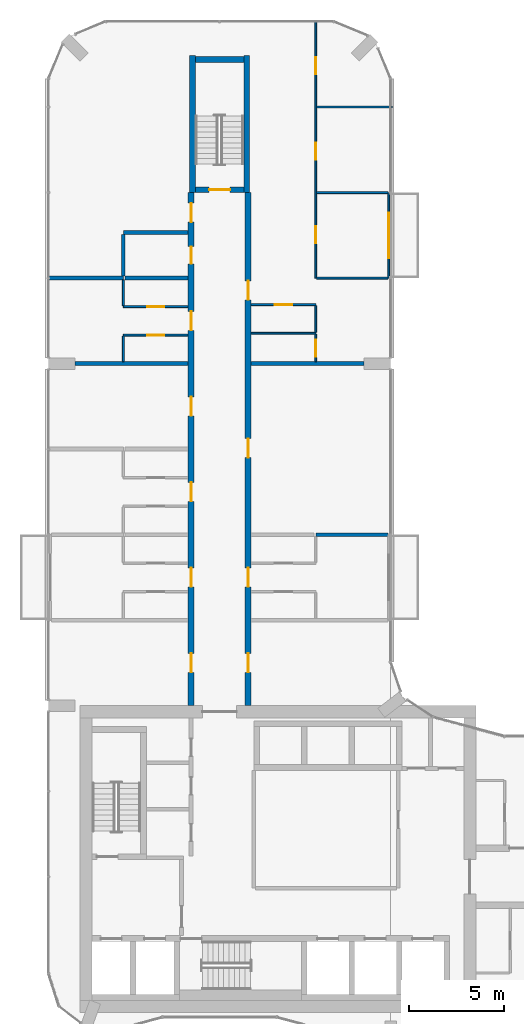
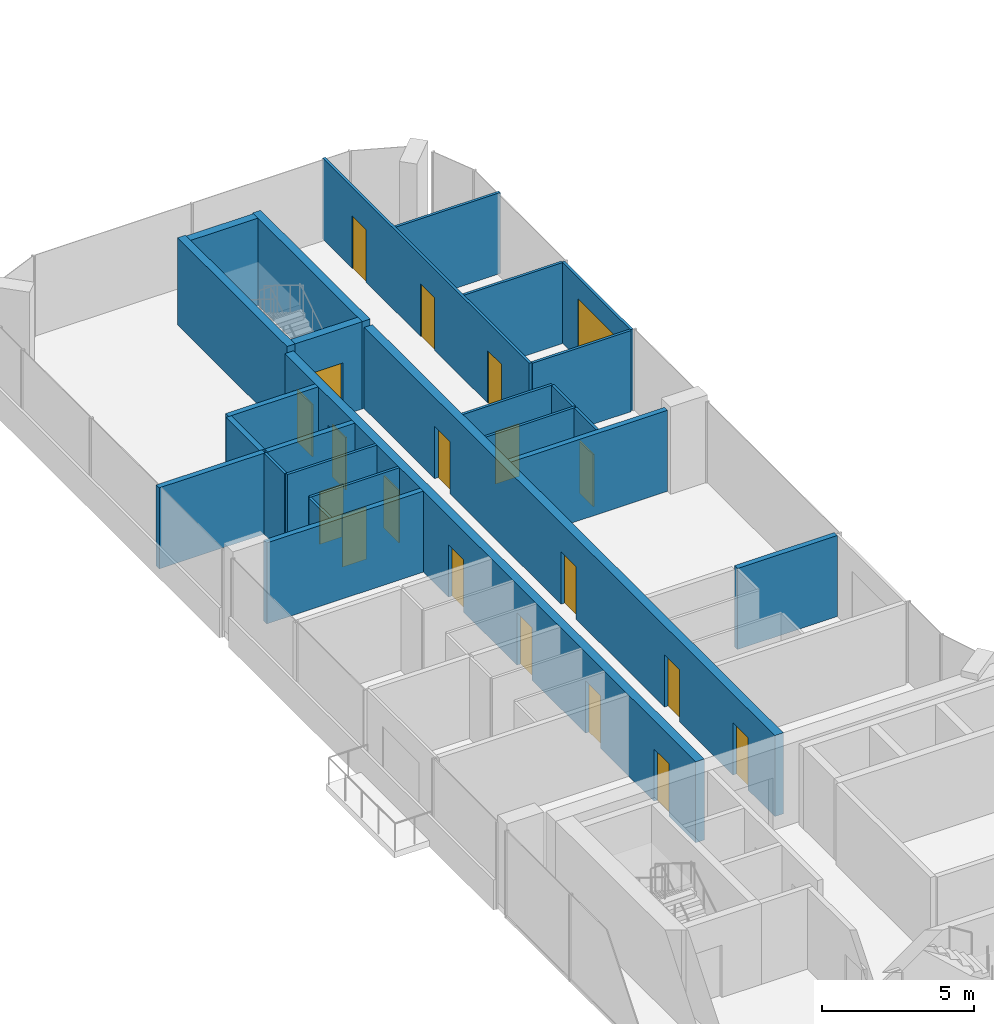
# One storey, part 16 of 22: 26 walls, 20 doors, 20 openings.
"""IFC4 building model written with IfcOpenShell, lengths in metres."""

from ifc_helpers import new_model, si_unit, direction, frame, frame_2d, origin, place, context, subcontext, project, spatial, rectangle, extrude, material, layer, layer_set, type_object, element, fill, save


model = new_model("IFC4")

# Units and contexts
model_context = context("Model", 3, precision=1e-05, world=origin(), true_north=direction((0.0, 1.0)))
body_context = subcontext(model_context, "Body", "Model", "MODEL_VIEW")
ifc_project = project(units=[si_unit("LENGTHUNIT", "METRE"), si_unit("AREAUNIT", "SQUARE_METRE"), si_unit("VOLUMEUNIT", "CUBIC_METRE"), si_unit("PLANEANGLEUNIT", "RADIAN"), si_unit("MASSUNIT", "GRAM", prefix="KILO")], contexts=[model_context])

# Site, building, storey
site_placement = place(None, origin())
site = spatial("IfcSite", under=ifc_project, at=site_placement, CompositionType="ELEMENT")
building_placement = place(site_placement, origin())
building = spatial("IfcBuilding", under=site, at=building_placement, Name="Plateau Cross Towers", CompositionType="ELEMENT")
storey_placement = place(building_placement, frame((0.0, 0.0, 102.800048828125)))
storey = spatial("IfcBuildingStorey", under=building, at=storey_placement, Name="L26", CompositionType="ELEMENT", Elevation=102.800048828125)

# Wall, opening, door
ifc_material_1 = material(Name="Aluminium framed glazing", Category="aluminium")
ifc_layer_1 = layer(ifc_material_1, 0.10009765625)
ifc_layer_set_1 = layer_set([ifc_layer_1], Name="Aluminium framed glazing")
wall_type_1 = type_object("IfcWallType", Name="Balcony screen wall 100", PredefinedType="STANDARD", material=ifc_layer_set_1)
wall_1_placement = place(storey_placement, frame((17.89990234375, 45.0, 0.0), z_axis=(0.0, 0.0, 1.0), x_axis=(0.0, -1.0, 0.0)))
wall_1 = element("IfcWall", 1, at=wall_1_placement, inside=storey, type_object=wall_type_1, Name="Balcony screen wall A-BAL-L26-03", PredefinedType="STANDARD", context=body_context, shape_type="SweptSolid", body=[
    extrude(rectangle(XDim=4.5, YDim=0.10009765625, at=frame_2d((2.25, 0.0))), origin(), (0.0, 0.0, 1.0), 3.25),
])
opening_1_placement = place(wall_1_placement, frame((1.050048828125, 0.0, 0.0)))
opening_1 = element("IfcOpeningElement", 2, at=opening_1_placement, cuts=wall_1, Name="Opening D-B24", PredefinedType="OPENING", context=body_context, shape_type="SweptSolid", body=[
    extrude(rectangle(XDim=2.39990234375, YDim=2.39990234375, at=frame_2d((1.199951171875, 1.199951171875))), frame((0.0, 0.06005859375, 0.0), z_axis=(0.0, -1.0, 0.0), x_axis=(1.0, 0.0, 0.0)), (0.0, 0.0, 1.0), 0.1201171875),
])
ifc_material_2 = material(Name="Aluminium frame, double glazing", Category="aluminium")
door_type_1 = type_object("IfcDoorType", Name="Balcony sliding door 2400", OperationType="NOTDEFINED", PredefinedType="DOOR", material=ifc_material_2)
door_1_placement = place(opening_1_placement, origin())
door_1 = element("IfcDoor", 3, at=door_1_placement, inside=storey, type_object=door_type_1, Name="Balcony door A-BAL-L26-03", OperationType="SINGLE_SWING_LEFT", OverallHeight=2.39990234375, OverallWidth=2.39990234375, PredefinedType="DOOR", context=body_context, shape_type="SweptSolid", body=[
    extrude(rectangle(XDim=2.39990234375, YDim=2.39990234375, at=frame_2d((1.199951171875, 1.199951171875))), frame((0.0, 0.02490234375, 0.0), z_axis=(0.0, -1.0, 0.0), x_axis=(1.0, 0.0, 0.0)), (0.0, 0.0, 1.0), 0.050048828125),
])
fill(opening_1, door_1)

# Wall, openings, doors
ifc_material_3 = material(Name="Concrete C60/75", Category="concrete")
ifc_layer_2 = layer(ifc_material_3, 0.324951171875)
ifc_layer_set_2 = layer_set([ifc_layer_2], Name="Concrete C60/75")
wall_type_2 = type_object("IfcWallType", Name="Corridor wall 325", PredefinedType="SHEAR", material=ifc_layer_set_2)
wall_2_placement = place(storey_placement, frame((7.5, 18.0, 0.0), z_axis=(0.0, 0.0, 1.0), x_axis=(0.0, 1.0, 0.0)))
wall_2 = element("IfcWall", 4, at=wall_2_placement, inside=storey, type_object=wall_type_2, Name="A-cw-W1@L26", PredefinedType="SHEAR", context=body_context, shape_type="SweptSolid", body=[
    extrude(rectangle(XDim=27.0, YDim=0.324951171875, at=frame_2d((13.5, 0.0))), origin(), (0.0, 0.0, 1.0), 3.25),
])
opening_2_placement = place(wall_2_placement, frame((1.75, 0.0, 0.0)))
opening_2 = element("IfcOpeningElement", 5, at=opening_2_placement, cuts=wall_2, Name="Opening 26-10", PredefinedType="OPENING", context=body_context, shape_type="SweptSolid", body=[
    extrude(rectangle(XDim=1.0, YDim=2.10009765625, at=frame_2d((0.5, 1.050048828125))), frame((0.0, 0.17236328125, 0.0), z_axis=(0.0, -1.0, 0.0), x_axis=(1.0, 0.0, 0.0)), (0.0, 0.0, 1.0), 0.344970703125),
])
opening_3_placement = place(wall_2_placement, frame((6.25, 0.0, 0.0)))
opening_3 = element("IfcOpeningElement", 6, at=opening_3_placement, cuts=wall_2, Name="Opening 26-11", PredefinedType="OPENING", context=body_context, shape_type="SweptSolid", body=[
    extrude(rectangle(XDim=1.0, YDim=2.10009765625, at=frame_2d((0.5, 1.050048828125))), frame((0.0, 0.17236328125, 0.0), z_axis=(0.0, -1.0, 0.0), x_axis=(1.0, 0.0, 0.0)), (0.0, 0.0, 1.0), 0.344970703125),
])
opening_4_placement = place(wall_2_placement, frame((10.75, 0.0, 0.0)))
opening_4 = element("IfcOpeningElement", 7, at=opening_4_placement, cuts=wall_2, Name="Opening 26-12", PredefinedType="OPENING", context=body_context, shape_type="SweptSolid", body=[
    extrude(rectangle(XDim=1.0, YDim=2.10009765625, at=frame_2d((0.5, 1.050048828125))), frame((0.0, 0.17236328125, 0.0), z_axis=(0.0, -1.0, 0.0), x_axis=(1.0, 0.0, 0.0)), (0.0, 0.0, 1.0), 0.344970703125),
])
opening_5_placement = place(wall_2_placement, frame((15.25, 0.0, 0.0)))
opening_5 = element("IfcOpeningElement", 8, at=opening_5_placement, cuts=wall_2, Name="Opening 26-13", PredefinedType="OPENING", context=body_context, shape_type="SweptSolid", body=[
    extrude(rectangle(XDim=1.0, YDim=2.10009765625, at=frame_2d((0.5, 1.050048828125))), frame((0.0, 0.17236328125, 0.0), z_axis=(0.0, -1.0, 0.0), x_axis=(1.0, 0.0, 0.0)), (0.0, 0.0, 1.0), 0.344970703125),
])
opening_6_placement = place(wall_2_placement, frame((19.75, 0.0, 0.0)))
opening_6 = element("IfcOpeningElement", 9, at=opening_6_placement, cuts=wall_2, Name="Opening 26-14", PredefinedType="OPENING", context=body_context, shape_type="SweptSolid", body=[
    extrude(rectangle(XDim=1.0, YDim=2.10009765625, at=frame_2d((0.5, 1.050048828125))), frame((0.0, 0.17236328125, 0.0), z_axis=(0.0, -1.0, 0.0), x_axis=(1.0, 0.0, 0.0)), (0.0, 0.0, 1.0), 0.344970703125),
])
opening_7_placement = place(wall_2_placement, frame((23.25, 0.0, 0.0)))
opening_7 = element("IfcOpeningElement", 10, at=opening_7_placement, cuts=wall_2, Name="Opening 26-15", PredefinedType="OPENING", context=body_context, shape_type="SweptSolid", body=[
    extrude(rectangle(XDim=0.89990234375, YDim=2.10009765625, at=frame_2d((0.449951171875, 1.050048828125))), frame((0.0, 0.17236328125, 0.0), z_axis=(0.0, -1.0, 0.0), x_axis=(1.0, 0.0, 0.0)), (0.0, 0.0, 1.0), 0.344970703125),
])
opening_8_placement = place(wall_2_placement, frame((25.449951171875, 0.0, 0.0)))
opening_8 = element("IfcOpeningElement", 11, at=opening_8_placement, cuts=wall_2, Name="Opening 26-16", PredefinedType="OPENING", context=body_context, shape_type="SweptSolid", body=[
    extrude(rectangle(XDim=1.0, YDim=2.10009765625, at=frame_2d((0.5, 1.050048828125))), frame((0.0, 0.17236328125, 0.0), z_axis=(0.0, -1.0, 0.0), x_axis=(1.0, 0.0, 0.0)), (0.0, 0.0, 1.0), 0.344970703125),
])
ifc_material_4 = material(Name="Timber, fire-resisting leaf", Category="wood")
door_type_2 = type_object("IfcDoorType", Name="Flat entrance door 1000", OperationType="NOTDEFINED", PredefinedType="DOOR", material=ifc_material_4)
door_2_placement = place(opening_2_placement, origin())
door_2 = element("IfcDoor", 12, at=door_2_placement, inside=storey, type_object=door_type_2, Name="Door 26-10", OperationType="SINGLE_SWING_LEFT", OverallHeight=2.10009765625, OverallWidth=1.0, PredefinedType="DOOR", context=body_context, shape_type="SweptSolid", body=[
    extrude(rectangle(XDim=1.0, YDim=2.10009765625, at=frame_2d((0.5, 1.050048828125))), frame((0.0, 0.02490234375, 0.0), z_axis=(0.0, -1.0, 0.0), x_axis=(1.0, 0.0, 0.0)), (0.0, 0.0, 1.0), 0.050048828125),
])
fill(opening_2, door_2)
door_3_placement = place(opening_3_placement, origin())
door_3 = element("IfcDoor", 13, at=door_3_placement, inside=storey, type_object=door_type_2, Name="Door 26-11", OperationType="SINGLE_SWING_LEFT", OverallHeight=2.10009765625, OverallWidth=1.0, PredefinedType="DOOR", context=body_context, shape_type="SweptSolid", body=[
    extrude(rectangle(XDim=1.0, YDim=2.10009765625, at=frame_2d((0.5, 1.050048828125))), frame((0.0, 0.02490234375, 0.0), z_axis=(0.0, -1.0, 0.0), x_axis=(1.0, 0.0, 0.0)), (0.0, 0.0, 1.0), 0.050048828125),
])
fill(opening_3, door_3)
door_4_placement = place(opening_4_placement, origin())
door_4 = element("IfcDoor", 14, at=door_4_placement, inside=storey, type_object=door_type_2, Name="Door 26-12", OperationType="SINGLE_SWING_LEFT", OverallHeight=2.10009765625, OverallWidth=1.0, PredefinedType="DOOR", context=body_context, shape_type="SweptSolid", body=[
    extrude(rectangle(XDim=1.0, YDim=2.10009765625, at=frame_2d((0.5, 1.050048828125))), frame((0.0, 0.02490234375, 0.0), z_axis=(0.0, -1.0, 0.0), x_axis=(1.0, 0.0, 0.0)), (0.0, 0.0, 1.0), 0.050048828125),
])
fill(opening_4, door_4)
door_5_placement = place(opening_5_placement, origin())
door_5 = element("IfcDoor", 15, at=door_5_placement, inside=storey, type_object=door_type_2, Name="Door 26-13", OperationType="SINGLE_SWING_RIGHT", OverallHeight=2.10009765625, OverallWidth=1.0, PredefinedType="DOOR", context=body_context, shape_type="SweptSolid", body=[
    extrude(rectangle(XDim=1.0, YDim=2.10009765625, at=frame_2d((0.5, 1.050048828125))), frame((0.0, 0.02490234375, 0.0), z_axis=(0.0, -1.0, 0.0), x_axis=(1.0, 0.0, 0.0)), (0.0, 0.0, 1.0), 0.050048828125),
])
fill(opening_5, door_5)
door_6_placement = place(opening_6_placement, origin())
door_6 = element("IfcDoor", 16, at=door_6_placement, inside=storey, type_object=door_type_2, Name="Door 26-14", OperationType="SINGLE_SWING_RIGHT", OverallHeight=2.10009765625, OverallWidth=1.0, PredefinedType="DOOR", context=body_context, shape_type="SweptSolid", body=[
    extrude(rectangle(XDim=1.0, YDim=2.10009765625, at=frame_2d((0.5, 1.050048828125))), frame((0.0, 0.02490234375, 0.0), z_axis=(0.0, -1.0, 0.0), x_axis=(1.0, 0.0, 0.0)), (0.0, 0.0, 1.0), 0.050048828125),
])
fill(opening_6, door_6)
door_7_placement = place(opening_8_placement, origin())
door_7 = element("IfcDoor", 17, at=door_7_placement, inside=storey, type_object=door_type_2, Name="Door 26-16", OperationType="SINGLE_SWING_RIGHT", OverallHeight=2.10009765625, OverallWidth=1.0, PredefinedType="DOOR", context=body_context, shape_type="SweptSolid", body=[
    extrude(rectangle(XDim=1.0, YDim=2.10009765625, at=frame_2d((0.5, 1.050048828125))), frame((0.0, 0.02490234375, 0.0), z_axis=(0.0, -1.0, 0.0), x_axis=(1.0, 0.0, 0.0)), (0.0, 0.0, 1.0), 0.050048828125),
])
fill(opening_8, door_7)
door_type_3 = type_object("IfcDoorType", Name="Flat floor service door 900", OperationType="NOTDEFINED", PredefinedType="DOOR", material=ifc_material_4)
door_8_placement = place(opening_7_placement, origin())
door_8 = element("IfcDoor", 18, at=door_8_placement, inside=storey, type_object=door_type_3, Name="Door 26-15", OperationType="SINGLE_SWING_RIGHT", OverallHeight=2.10009765625, OverallWidth=0.89990234375, PredefinedType="DOOR", context=body_context, shape_type="SweptSolid", body=[
    extrude(rectangle(XDim=0.89990234375, YDim=2.10009765625, at=frame_2d((0.449951171875, 1.050048828125))), frame((0.0, 0.02490234375, 0.0), z_axis=(0.0, -1.0, 0.0), x_axis=(1.0, 0.0, 0.0)), (0.0, 0.0, 1.0), 0.050048828125),
])
fill(opening_7, door_8)

wall_3_placement = place(storey_placement, frame((10.5, 18.0, 0.0), z_axis=(0.0, 0.0, 1.0), x_axis=(0.0, 1.0, 0.0)))
wall_3 = element("IfcWall", 19, at=wall_3_placement, inside=storey, type_object=wall_type_2, Name="A-cw-W2@L26", PredefinedType="SHEAR", context=body_context, shape_type="SweptSolid", body=[
    extrude(rectangle(XDim=27.0, YDim=0.324951171875, at=frame_2d((13.5, 0.0))), origin(), (0.0, 0.0, 1.0), 3.25),
])
opening_9_placement = place(wall_3_placement, frame((1.75, 0.0, 0.0)))
opening_9 = element("IfcOpeningElement", 20, at=opening_9_placement, cuts=wall_3, Name="Opening 26-17", PredefinedType="OPENING", context=body_context, shape_type="SweptSolid", body=[
    extrude(rectangle(XDim=1.0, YDim=2.10009765625, at=frame_2d((0.5, 1.050048828125))), frame((0.0, 0.17236328125, 0.0), z_axis=(0.0, -1.0, 0.0), x_axis=(1.0, 0.0, 0.0)), (0.0, 0.0, 1.0), 0.344970703125),
])
opening_10_placement = place(wall_3_placement, frame((6.25, 0.0, 0.0)))
opening_10 = element("IfcOpeningElement", 21, at=opening_10_placement, cuts=wall_3, Name="Opening 26-18", PredefinedType="OPENING", context=body_context, shape_type="SweptSolid", body=[
    extrude(rectangle(XDim=1.0, YDim=2.10009765625, at=frame_2d((0.5, 1.050048828125))), frame((0.0, 0.17236328125, 0.0), z_axis=(0.0, -1.0, 0.0), x_axis=(1.0, 0.0, 0.0)), (0.0, 0.0, 1.0), 0.344970703125),
])
opening_11_placement = place(wall_3_placement, frame((13.050048828125, 0.0, 0.0)))
opening_11 = element("IfcOpeningElement", 22, at=opening_11_placement, cuts=wall_3, Name="Opening 26-19", PredefinedType="OPENING", context=body_context, shape_type="SweptSolid", body=[
    extrude(rectangle(XDim=1.0, YDim=2.10009765625, at=frame_2d((0.5, 1.050048828125))), frame((0.0, 0.17236328125, 0.0), z_axis=(0.0, -1.0, 0.0), x_axis=(1.0, 0.0, 0.0)), (0.0, 0.0, 1.0), 0.344970703125),
])
opening_12_placement = place(wall_3_placement, frame((21.35009765625, 0.0, 0.0)))
opening_12 = element("IfcOpeningElement", 23, at=opening_12_placement, cuts=wall_3, Name="Opening 26-20", PredefinedType="OPENING", context=body_context, shape_type="SweptSolid", body=[
    extrude(rectangle(XDim=1.0, YDim=2.10009765625, at=frame_2d((0.5, 1.050048828125))), frame((0.0, 0.17236328125, 0.0), z_axis=(0.0, -1.0, 0.0), x_axis=(1.0, 0.0, 0.0)), (0.0, 0.0, 1.0), 0.344970703125),
])
door_9_placement = place(opening_9_placement, origin())
door_9 = element("IfcDoor", 24, at=door_9_placement, inside=storey, type_object=door_type_2, Name="Door 26-17", OperationType="SINGLE_SWING_LEFT", OverallHeight=2.10009765625, OverallWidth=1.0, PredefinedType="DOOR", context=body_context, shape_type="SweptSolid", body=[
    extrude(rectangle(XDim=1.0, YDim=2.10009765625, at=frame_2d((0.5, 1.050048828125))), frame((0.0, 0.02490234375, 0.0), z_axis=(0.0, -1.0, 0.0), x_axis=(1.0, 0.0, 0.0)), (0.0, 0.0, 1.0), 0.050048828125),
])
fill(opening_9, door_9)
door_10_placement = place(opening_10_placement, origin())
door_10 = element("IfcDoor", 25, at=door_10_placement, inside=storey, type_object=door_type_2, Name="Door 26-18", OperationType="SINGLE_SWING_LEFT", OverallHeight=2.10009765625, OverallWidth=1.0, PredefinedType="DOOR", context=body_context, shape_type="SweptSolid", body=[
    extrude(rectangle(XDim=1.0, YDim=2.10009765625, at=frame_2d((0.5, 1.050048828125))), frame((0.0, 0.02490234375, 0.0), z_axis=(0.0, -1.0, 0.0), x_axis=(1.0, 0.0, 0.0)), (0.0, 0.0, 1.0), 0.050048828125),
])
fill(opening_10, door_10)
door_11_placement = place(opening_11_placement, origin())
door_11 = element("IfcDoor", 26, at=door_11_placement, inside=storey, type_object=door_type_2, Name="Door 26-19", OperationType="SINGLE_SWING_RIGHT", OverallHeight=2.10009765625, OverallWidth=1.0, PredefinedType="DOOR", context=body_context, shape_type="SweptSolid", body=[
    extrude(rectangle(XDim=1.0, YDim=2.10009765625, at=frame_2d((0.5, 1.050048828125))), frame((0.0, 0.02490234375, 0.0), z_axis=(0.0, -1.0, 0.0), x_axis=(1.0, 0.0, 0.0)), (0.0, 0.0, 1.0), 0.050048828125),
])
fill(opening_11, door_11)
door_12_placement = place(opening_12_placement, origin())
door_12 = element("IfcDoor", 27, at=door_12_placement, inside=storey, type_object=door_type_2, Name="Door 26-20", OperationType="SINGLE_SWING_RIGHT", OverallHeight=2.10009765625, OverallWidth=1.0, PredefinedType="DOOR", context=body_context, shape_type="SweptSolid", body=[
    extrude(rectangle(XDim=1.0, YDim=2.10009765625, at=frame_2d((0.5, 1.050048828125))), frame((0.0, 0.02490234375, 0.0), z_axis=(0.0, -1.0, 0.0), x_axis=(1.0, 0.0, 0.0)), (0.0, 0.0, 1.0), 0.050048828125),
])
fill(opening_12, door_12)

# Wall, opening, door
ifc_material_5 = material(Name="Gypsum board on steel studs", Category="steel")
ifc_layer_3 = layer(ifc_material_5, 0.10009765625)
ifc_layer_set_3 = layer_set([ifc_layer_3], Name="Gypsum board on steel studs")
wall_type_3 = type_object("IfcWallType", Name="Flat partition 100", PredefinedType="PARTITIONING", material=ifc_layer_set_3)
wall_4_placement = place(storey_placement, frame((7.33740234375, 37.5, 0.0), z_axis=(0.0, 0.0, 1.0), x_axis=(-1.0, 0.0, 0.0)))
wall_4 = element("IfcWall", 28, at=wall_4_placement, inside=storey, type_object=wall_type_3, Name="Partition wall", PredefinedType="PARTITIONING", context=body_context, shape_type="SweptSolid", body=[
    extrude(rectangle(XDim=3.39990234375, YDim=0.10009765625, at=frame_2d((1.699951171875, 0.0))), origin(), (0.0, 0.0, 1.0), 3.25),
])
opening_13_placement = place(wall_4_placement, frame((1.25, 0.0, 0.0)))
opening_13 = element("IfcOpeningElement", 29, at=opening_13_placement, cuts=wall_4, Name="Opening 26-39", PredefinedType="OPENING", context=body_context, shape_type="SweptSolid", body=[
    extrude(rectangle(XDim=0.89990234375, YDim=2.10009765625, at=frame_2d((0.449951171875, 1.050048828125))), frame((0.0, 0.06005859375, 0.0), z_axis=(0.0, -1.0, 0.0), x_axis=(1.0, 0.0, 0.0)), (0.0, 0.0, 1.0), 0.1201171875),
])
ifc_material_6 = material(Name="Timber leaf", Category="wood")
door_type_4 = type_object("IfcDoorType", Name="Flat room door 900", OperationType="NOTDEFINED", PredefinedType="DOOR", material=ifc_material_6)
door_13_placement = place(opening_13_placement, origin())
door_13 = element("IfcDoor", 30, at=door_13_placement, inside=storey, type_object=door_type_4, Name="Door 26-39", OperationType="SINGLE_SWING_LEFT", OverallHeight=2.10009765625, OverallWidth=0.89990234375, PredefinedType="DOOR", context=body_context, shape_type="SweptSolid", body=[
    extrude(rectangle(XDim=0.89990234375, YDim=2.10009765625, at=frame_2d((0.449951171875, 1.050048828125))), frame((0.0, 0.02490234375, 0.0), z_axis=(0.0, -1.0, 0.0), x_axis=(1.0, 0.0, 0.0)), (0.0, 0.0, 1.0), 0.050048828125),
])
fill(opening_13, door_13)

# Wall
wall_5_placement = place(storey_placement, frame((14.0625, 37.60009765625, 0.0), z_axis=(0.0, 0.0, 1.0), x_axis=(-1.0, 0.0, 0.0)))
element("IfcWall", 31, at=wall_5_placement, inside=storey, type_object=wall_type_3, Name="Partition wall", PredefinedType="PARTITIONING", context=body_context, shape_type="SweptSolid", body=[
    extrude(rectangle(XDim=3.39990234375, YDim=0.10009765625, at=frame_2d((1.699951171875, 0.0))), origin(), (0.0, 0.0, 1.0), 3.25),
])

# Wall, opening, door
wall_6_placement = place(storey_placement, frame((3.9375, 39.0, 0.0), z_axis=(0.0, 0.0, 1.0), x_axis=(1.0, 0.0, 0.0)))
wall_6 = element("IfcWall", 32, at=wall_6_placement, inside=storey, type_object=wall_type_3, Name="Partition wall", PredefinedType="PARTITIONING", context=body_context, shape_type="SweptSolid", body=[
    extrude(rectangle(XDim=3.39990234375, YDim=0.10009765625, at=frame_2d((1.699951171875, 0.0))), origin(), (0.0, 0.0, 1.0), 3.25),
])
opening_14_placement = place(wall_6_placement, frame((1.25, 0.0, 0.0)))
opening_14 = element("IfcOpeningElement", 33, at=opening_14_placement, cuts=wall_6, Name="Opening 26-40", PredefinedType="OPENING", context=body_context, shape_type="SweptSolid", body=[
    extrude(rectangle(XDim=0.89990234375, YDim=2.10009765625, at=frame_2d((0.449951171875, 1.050048828125))), frame((0.0, 0.06005859375, 0.0), z_axis=(0.0, -1.0, 0.0), x_axis=(1.0, 0.0, 0.0)), (0.0, 0.0, 1.0), 0.1201171875),
])
door_14_placement = place(opening_14_placement, origin())
door_14 = element("IfcDoor", 34, at=door_14_placement, inside=storey, type_object=door_type_4, Name="Door 26-40", OperationType="SINGLE_SWING_LEFT", OverallHeight=2.10009765625, OverallWidth=0.89990234375, PredefinedType="DOOR", context=body_context, shape_type="SweptSolid", body=[
    extrude(rectangle(XDim=0.89990234375, YDim=2.10009765625, at=frame_2d((0.449951171875, 1.050048828125))), frame((0.0, 0.02490234375, 0.0), z_axis=(0.0, -1.0, 0.0), x_axis=(1.0, 0.0, 0.0)), (0.0, 0.0, 1.0), 0.050048828125),
])
fill(opening_14, door_14)

wall_7_placement = place(storey_placement, frame((14.0625, 39.10009765625, 0.0), z_axis=(0.0, 0.0, 1.0), x_axis=(-1.0, 0.0, 0.0)))
wall_7 = element("IfcWall", 35, at=wall_7_placement, inside=storey, type_object=wall_type_3, Name="Partition wall", PredefinedType="PARTITIONING", context=body_context, shape_type="SweptSolid", body=[
    extrude(rectangle(XDim=3.39990234375, YDim=0.10009765625, at=frame_2d((1.699951171875, 0.0))), origin(), (0.0, 0.0, 1.0), 3.25),
])
opening_15_placement = place(wall_7_placement, frame((1.25, 0.0, 0.0)))
opening_15 = element("IfcOpeningElement", 36, at=opening_15_placement, cuts=wall_7, Name="Opening 26-44", PredefinedType="OPENING", context=body_context, shape_type="SweptSolid", body=[
    extrude(rectangle(XDim=0.89990234375, YDim=2.10009765625, at=frame_2d((0.449951171875, 1.050048828125))), frame((0.0, 0.06005859375, 0.0), z_axis=(0.0, -1.0, 0.0), x_axis=(1.0, 0.0, 0.0)), (0.0, 0.0, 1.0), 0.1201171875),
])
door_15_placement = place(opening_15_placement, origin())
door_15 = element("IfcDoor", 37, at=door_15_placement, inside=storey, type_object=door_type_4, Name="Door 26-44", OperationType="SINGLE_SWING_LEFT", OverallHeight=2.10009765625, OverallWidth=0.89990234375, PredefinedType="DOOR", context=body_context, shape_type="SweptSolid", body=[
    extrude(rectangle(XDim=0.89990234375, YDim=2.10009765625, at=frame_2d((0.449951171875, 1.050048828125))), frame((0.0, 0.02490234375, 0.0), z_axis=(0.0, -1.0, 0.0), x_axis=(1.0, 0.0, 0.0)), (0.0, 0.0, 1.0), 0.050048828125),
])
fill(opening_15, door_15)

# Walls
for number, where, z_axis, x_axis, name in (
    (38, (14.112548828125, 40.5, 0.0), (0.0, 0.0, 1.0), (1.0, 0.0, 0.0), "Partition wall"),
    (39, (17.85009765625, 45.0, 0.0), (0.0, 0.0, 1.0), (-1.0, 0.0, 0.0), "Partition wall"),
):
    element("IfcWall", number, at=place(storey_placement, frame(where, z_axis=z_axis, x_axis=x_axis)), inside=storey, type_object=wall_type_3, Name=name, PredefinedType="PARTITIONING", context=body_context, shape_type="SweptSolid", body=[
        extrude(rectangle(XDim=3.737548828125, YDim=0.10009765625, at=frame_2d((1.86865234375, 0.0))), origin(), (0.0, 0.0, 1.0), 3.25),
    ])
wall_8_placement = place(storey_placement, frame((18.080078125, 49.5, 0.0), z_axis=(0.0, 0.0, 1.0), x_axis=(-1.0, 0.0, 0.0)))
element("IfcWall", 40, at=wall_8_placement, inside=storey, type_object=wall_type_3, Name="Partition wall", PredefinedType="PARTITIONING", context=body_context, shape_type="SweptSolid", body=[
    extrude(rectangle(XDim=3.967529296875, YDim=0.10009765625, at=frame_2d((1.98388671875, 0.0))), origin(), (0.0, 0.0, 1.0), 3.25),
])
for number, where, z_axis, x_axis, name in (
    (41, (3.9375, 37.449951171875, 0.0), (0.0, 0.0, 1.0), (0.0, -1.0, 0.0), "Partition wall"),
    (42, (3.9375, 40.39990234375, 0.0), (0.0, 0.0, 1.0), (0.0, -1.0, 0.0), "Partition wall"),
):
    element("IfcWall", number, at=place(storey_placement, frame(where, z_axis=z_axis, x_axis=x_axis)), inside=storey, type_object=wall_type_3, Name=name, PredefinedType="PARTITIONING", context=body_context, shape_type="SweptSolid", body=[
        extrude(rectangle(XDim=1.349853515625, YDim=0.10009765625, at=frame_2d((0.6748046875, 0.0))), origin(), (0.0, 0.0, 1.0), 3.25),
    ])

# Wall, openings, doors
wall_9_placement = place(storey_placement, frame((14.0625, 54.080078125, 0.0), z_axis=(0.0, 0.0, 1.0), x_axis=(0.0, -1.0, 0.0)))
wall_9 = element("IfcWall", 43, at=wall_9_placement, inside=storey, type_object=wall_type_3, Name="Partition wall", PredefinedType="PARTITIONING", context=body_context, shape_type="SweptSolid", body=[
    extrude(rectangle(XDim=13.580078125, YDim=0.10009765625, at=frame_2d((6.7900390625, 0.0))), origin(), (0.0, 0.0, 1.0), 3.25),
])
opening_16_placement = place(wall_9_placement, frame((10.85009765625, 0.0, 0.0)))
opening_16 = element("IfcOpeningElement", 44, at=opening_16_placement, cuts=wall_9, Name="Opening 26-45", PredefinedType="OPENING", context=body_context, shape_type="SweptSolid", body=[
    extrude(rectangle(XDim=0.89990234375, YDim=2.10009765625, at=frame_2d((0.449951171875, 1.050048828125))), frame((0.0, 0.06005859375, 0.0), z_axis=(0.0, -1.0, 0.0), x_axis=(1.0, 0.0, 0.0)), (0.0, 0.0, 1.0), 0.1201171875),
])
opening_17_placement = place(wall_9_placement, frame((6.449951171875, 0.0, 0.0)))
opening_17 = element("IfcOpeningElement", 45, at=opening_17_placement, cuts=wall_9, Name="Opening 26-46", PredefinedType="OPENING", context=body_context, shape_type="SweptSolid", body=[
    extrude(rectangle(XDim=0.89990234375, YDim=2.10009765625, at=frame_2d((0.449951171875, 1.050048828125))), frame((0.0, 0.06005859375, 0.0), z_axis=(0.0, -1.0, 0.0), x_axis=(1.0, 0.0, 0.0)), (0.0, 0.0, 1.0), 0.1201171875),
])
opening_18_placement = place(wall_9_placement, frame((1.949951171875, 0.0, 0.0)))
opening_18 = element("IfcOpeningElement", 46, at=opening_18_placement, cuts=wall_9, Name="Opening 26-47", PredefinedType="OPENING", context=body_context, shape_type="SweptSolid", body=[
    extrude(rectangle(XDim=0.89990234375, YDim=2.10009765625, at=frame_2d((0.449951171875, 1.050048828125))), frame((0.0, 0.06005859375, 0.0), z_axis=(0.0, -1.0, 0.0), x_axis=(1.0, 0.0, 0.0)), (0.0, 0.0, 1.0), 0.1201171875),
])
door_16_placement = place(opening_16_placement, origin())
door_16 = element("IfcDoor", 47, at=door_16_placement, inside=storey, type_object=door_type_4, Name="Door 26-45", OperationType="SINGLE_SWING_RIGHT", OverallHeight=2.10009765625, OverallWidth=0.89990234375, PredefinedType="DOOR", context=body_context, shape_type="SweptSolid", body=[
    extrude(rectangle(XDim=0.89990234375, YDim=2.10009765625, at=frame_2d((0.449951171875, 1.050048828125))), frame((0.0, 0.02490234375, 0.0), z_axis=(0.0, -1.0, 0.0), x_axis=(1.0, 0.0, 0.0)), (0.0, 0.0, 1.0), 0.050048828125),
])
fill(opening_16, door_16)
door_17_placement = place(opening_17_placement, origin())
door_17 = element("IfcDoor", 48, at=door_17_placement, inside=storey, type_object=door_type_4, Name="Door 26-46", OperationType="SINGLE_SWING_RIGHT", OverallHeight=2.10009765625, OverallWidth=0.89990234375, PredefinedType="DOOR", context=body_context, shape_type="SweptSolid", body=[
    extrude(rectangle(XDim=0.89990234375, YDim=2.10009765625, at=frame_2d((0.449951171875, 1.050048828125))), frame((0.0, 0.02490234375, 0.0), z_axis=(0.0, -1.0, 0.0), x_axis=(1.0, 0.0, 0.0)), (0.0, 0.0, 1.0), 0.050048828125),
])
fill(opening_17, door_17)
door_18_placement = place(opening_18_placement, origin())
door_18 = element("IfcDoor", 49, at=door_18_placement, inside=storey, type_object=door_type_4, Name="Door 26-47", OperationType="SINGLE_SWING_LEFT", OverallHeight=2.10009765625, OverallWidth=0.89990234375, PredefinedType="DOOR", context=body_context, shape_type="SweptSolid", body=[
    extrude(rectangle(XDim=0.89990234375, YDim=2.10009765625, at=frame_2d((0.449951171875, 1.050048828125))), frame((0.0, 0.02490234375, 0.0), z_axis=(0.0, -1.0, 0.0), x_axis=(1.0, 0.0, 0.0)), (0.0, 0.0, 1.0), 0.050048828125),
])
fill(opening_18, door_18)

# Wall, opening, door
wall_10_placement = place(storey_placement, frame((14.0625, 36.10009765625, 0.0), z_axis=(0.0, 0.0, 1.0), x_axis=(0.0, 1.0, 0.0)))
wall_10 = element("IfcWall", 50, at=wall_10_placement, inside=storey, type_object=wall_type_3, Name="Partition wall", PredefinedType="PARTITIONING", context=body_context, shape_type="SweptSolid", body=[
    extrude(rectangle(XDim=1.449951171875, YDim=0.10009765625, at=frame_2d((0.72509765625, 0.0))), origin(), (0.0, 0.0, 1.0), 3.25),
])
opening_19_placement = place(wall_10_placement, frame((0.25, 0.0, 0.0)))
opening_19 = element("IfcOpeningElement", 51, at=opening_19_placement, cuts=wall_10, Name="Opening 26-43", PredefinedType="OPENING", context=body_context, shape_type="SweptSolid", body=[
    extrude(rectangle(XDim=0.89990234375, YDim=2.10009765625, at=frame_2d((0.449951171875, 1.050048828125))), frame((0.0, 0.06005859375, 0.0), z_axis=(0.0, -1.0, 0.0), x_axis=(1.0, 0.0, 0.0)), (0.0, 0.0, 1.0), 0.1201171875),
])
door_19_placement = place(opening_19_placement, origin())
door_19 = element("IfcDoor", 52, at=door_19_placement, inside=storey, type_object=door_type_4, Name="Door 26-43", OperationType="SINGLE_SWING_LEFT", OverallHeight=2.10009765625, OverallWidth=0.89990234375, PredefinedType="DOOR", context=body_context, shape_type="SweptSolid", body=[
    extrude(rectangle(XDim=0.89990234375, YDim=2.10009765625, at=frame_2d((0.449951171875, 1.050048828125))), frame((0.0, 0.02490234375, 0.0), z_axis=(0.0, -1.0, 0.0), x_axis=(1.0, 0.0, 0.0)), (0.0, 0.0, 1.0), 0.050048828125),
])
fill(opening_19, door_19)

# Walls
wall_11_placement = place(storey_placement, frame((14.0625, 37.64990234375, 0.0), z_axis=(0.0, 0.0, 1.0), x_axis=(0.0, 1.0, 0.0)))
element("IfcWall", 53, at=wall_11_placement, inside=storey, type_object=wall_type_3, Name="Partition wall", PredefinedType="PARTITIONING", context=body_context, shape_type="SweptSolid", body=[
    extrude(rectangle(XDim=1.400146484375, YDim=0.10009765625, at=frame_2d((0.7001953125, 0.0))), origin(), (0.0, 0.0, 1.0), 3.25),
])
ifc_material_7 = material(Name="Gypsum board on steel studs, two layers each side", Category="steel")
ifc_layer_4 = layer(ifc_material_7, 0.199951171875)
ifc_layer_set_4 = layer_set([ifc_layer_4], Name="Gypsum board on steel studs, two layers each side")
wall_type_4 = type_object("IfcWallType", Name="Flat party wall 200", PredefinedType="PARTITIONING", material=ifc_layer_set_4)
wall_12_placement = place(storey_placement, frame((14.0625, 27.0, 0.0), z_axis=(0.0, 0.0, 1.0), x_axis=(1.0, 0.0, 0.0)))
element("IfcWall", 54, at=wall_12_placement, inside=storey, type_object=wall_type_4, Name="Party wall", PredefinedType="PARTITIONING", context=body_context, shape_type="SweptSolid", body=[
    extrude(rectangle(XDim=3.78759765625, YDim=0.199951171875, at=frame_2d((1.893798828125, 0.0))), origin(), (0.0, 0.0, 1.0), 3.25),
])
for number, where, z_axis, x_axis, name in (
    (55, (7.33740234375, 36.0, 0.0), (0.0, 0.0, 1.0), (-1.0, 0.0, 0.0), "Party wall"),
    (56, (16.60009765625, 36.0, 0.0), (0.0, 0.0, 1.0), (-1.0, 0.0, 0.0), "Party wall"),
):
    element("IfcWall", number, at=place(storey_placement, frame(where, z_axis=z_axis, x_axis=x_axis)), inside=storey, type_object=wall_type_4, Name=name, PredefinedType="PARTITIONING", context=body_context, shape_type="SweptSolid", body=[
        extrude(rectangle(XDim=5.9375, YDim=0.199951171875, at=frame_2d((2.96875, 0.0))), origin(), (0.0, 0.0, 1.0), 3.25),
    ])
wall_13_placement = place(storey_placement, frame((7.33740234375, 40.5, 0.0), z_axis=(0.0, 0.0, 1.0), x_axis=(-1.0, 0.0, 0.0)))
element("IfcWall", 57, at=wall_13_placement, inside=storey, type_object=wall_type_4, Name="Party wall", PredefinedType="PARTITIONING", context=body_context, shape_type="SweptSolid", body=[
    extrude(rectangle(XDim=3.2998046875, YDim=0.199951171875, at=frame_2d((1.64990234375, 0.0))), origin(), (0.0, 0.0, 1.0), 3.25),
])
wall_14_placement = place(storey_placement, frame((-0.080078125, 40.5, 0.0), z_axis=(0.0, 0.0, 1.0), x_axis=(1.0, 0.0, 0.0)))
element("IfcWall", 58, at=wall_14_placement, inside=storey, type_object=wall_type_4, Name="Party wall", PredefinedType="PARTITIONING", context=body_context, shape_type="SweptSolid", body=[
    extrude(rectangle(XDim=4.017578125, YDim=0.199951171875, at=frame_2d((2.0087890625, 0.0))), origin(), (0.0, 0.0, 1.0), 3.25),
])
wall_15_placement = place(storey_placement, frame((7.33740234375, 42.89990234375, 0.0), z_axis=(0.0, 0.0, 1.0), x_axis=(-1.0, 0.0, 0.0)))
element("IfcWall", 59, at=wall_15_placement, inside=storey, type_object=wall_type_4, Name="Party wall", PredefinedType="PARTITIONING", context=body_context, shape_type="SweptSolid", body=[
    extrude(rectangle(XDim=3.39990234375, YDim=0.199951171875, at=frame_2d((1.699951171875, 0.0))), origin(), (0.0, 0.0, 1.0), 3.25),
])
wall_16_placement = place(storey_placement, frame((3.9375, 42.800048828125, 0.0), z_axis=(0.0, 0.0, 1.0), x_axis=(0.0, -1.0, 0.0)))
element("IfcWall", 60, at=wall_16_placement, inside=storey, type_object=wall_type_4, Name="Party wall", PredefinedType="PARTITIONING", context=body_context, shape_type="SweptSolid", body=[
    extrude(rectangle(XDim=2.199951171875, YDim=0.199951171875, at=frame_2d((1.10009765625, 0.0))), origin(), (0.0, 0.0, 1.0), 3.25),
])

# Wall, opening, door
ifc_layer_5 = layer(ifc_material_3, 0.300048828125)
ifc_layer_set_5 = layer_set([ifc_layer_5], Name="Concrete C60/75")
wall_type_5 = type_object("IfcWallType", Name="Stair tower wall 300", PredefinedType="SHEAR", material=ifc_layer_set_5)
wall_17_placement = place(storey_placement, frame((7.72509765625, 45.14990234375, 0.0), z_axis=(0.0, 0.0, 1.0), x_axis=(1.0, 0.0, 0.0)))
wall_17 = element("IfcWall", 61, at=wall_17_placement, inside=storey, type_object=wall_type_5, Name="A-end-N-S@L26", PredefinedType="SHEAR", context=body_context, shape_type="SweptSolid", body=[
    extrude(rectangle(XDim=2.5498046875, YDim=0.300048828125, at=frame_2d((1.27490234375, 0.0))), origin(), (0.0, 0.0, 1.0), 3.5),
])
opening_20_placement = place(wall_17_placement, frame((0.72509765625, 0.0, 0.0)))
opening_20 = element("IfcOpeningElement", 62, at=opening_20_placement, cuts=wall_17, Name="Opening SD", PredefinedType="OPENING", context=body_context, shape_type="SweptSolid", body=[
    extrude(rectangle(XDim=1.10009765625, YDim=2.10009765625, at=frame_2d((0.550048828125, 1.050048828125))), frame((0.0, 0.159912109375, 0.0), z_axis=(0.0, -1.0, 0.0), x_axis=(1.0, 0.0, 0.0)), (0.0, 0.0, 1.0), 0.320068359375),
])
ifc_material_8 = material(Name="Steel, fire-resisting leaf", Category="steel")
door_type_5 = type_object("IfcDoorType", Name="Stair door 1100", OperationType="NOTDEFINED", PredefinedType="DOOR", material=ifc_material_8)
door_20_placement = place(opening_20_placement, origin())
door_20 = element("IfcDoor", 63, at=door_20_placement, inside=storey, type_object=door_type_5, Name="Stair door SD", OperationType="SINGLE_SWING_LEFT", OverallHeight=2.10009765625, OverallWidth=1.10009765625, PredefinedType="DOOR", context=body_context, shape_type="SweptSolid", body=[
    extrude(rectangle(XDim=1.10009765625, YDim=2.10009765625, at=frame_2d((0.550048828125, 1.050048828125))), frame((0.0, 0.02490234375, 0.0), z_axis=(0.0, -1.0, 0.0), x_axis=(1.0, 0.0, 0.0)), (0.0, 0.0, 1.0), 0.050048828125),
])
fill(opening_20, door_20)

# Walls
wall_18_placement = place(storey_placement, frame((7.72509765625, 52.0, 0.0), z_axis=(0.0, 0.0, 1.0), x_axis=(1.0, 0.0, 0.0)))
element("IfcWall", 64, at=wall_18_placement, inside=storey, type_object=wall_type_5, Name="A-end-N-N@L26", PredefinedType="SHEAR", context=body_context, shape_type="SweptSolid", body=[
    extrude(rectangle(XDim=2.5498046875, YDim=0.300048828125, at=frame_2d((1.27490234375, 0.0))), origin(), (0.0, 0.0, 1.0), 3.5),
])
for number, where, z_axis, x_axis, name in (
    (65, (7.574951171875, 45.0, 0.0), (0.0, 0.0, 1.0), (0.0, 1.0, 0.0), "A-end-N-W@L26"),
    (66, (10.425048828125, 45.0, 0.0), (0.0, 0.0, 1.0), (0.0, 1.0, 0.0), "A-end-N-E@L26"),
):
    element("IfcWall", number, at=place(storey_placement, frame(where, z_axis=z_axis, x_axis=x_axis)), inside=storey, type_object=wall_type_5, Name=name, PredefinedType="SHEAR", context=body_context, shape_type="SweptSolid", body=[
        extrude(rectangle(XDim=7.199951171875, YDim=0.300048828125, at=frame_2d((3.60009765625, 0.0))), origin(), (0.0, 0.0, 1.0), 3.5),
    ])

save(model, "model.ifc")
